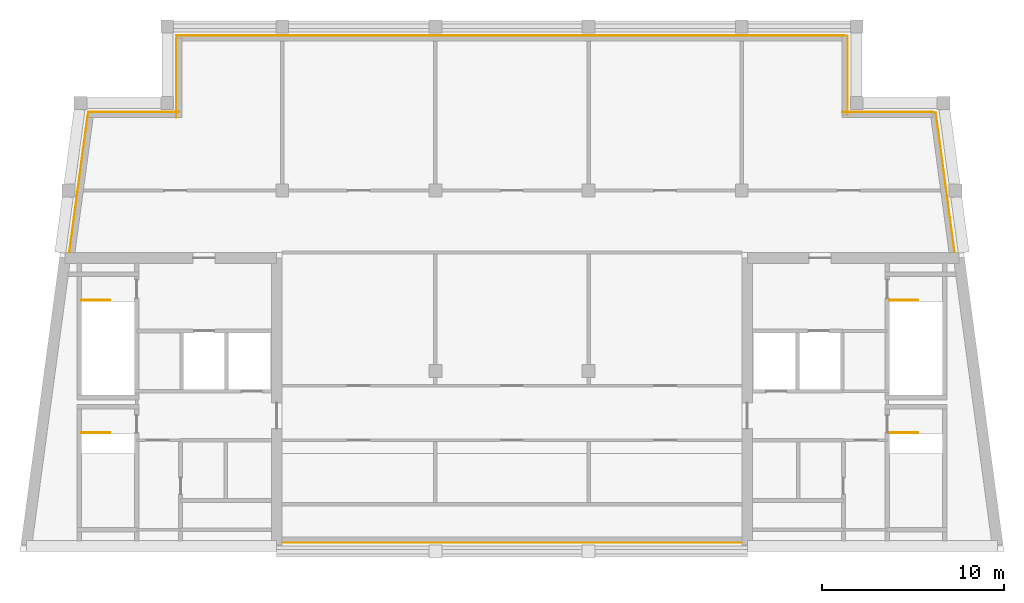
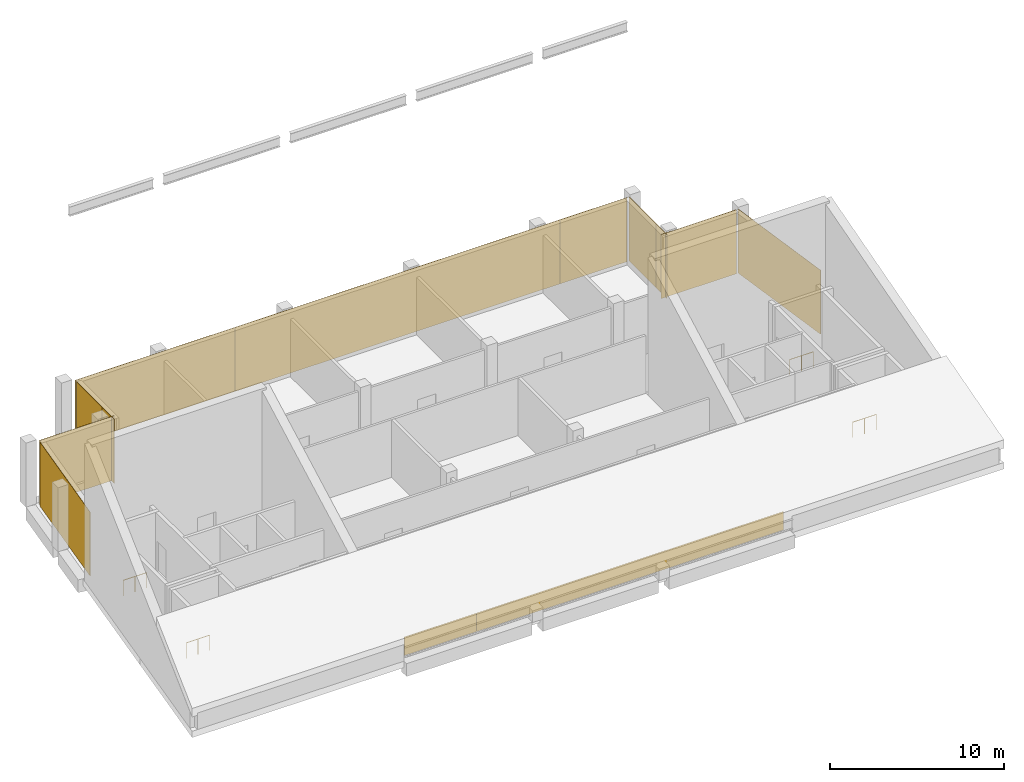
# One storey, part 4 of 4: 13 coverings, 4 railings.
"""IFC4 building model written with IfcOpenShell, lengths in metres."""

from ifc_helpers import new_model, si_unit, direction, frame, origin, origin_2d, place, context, subcontext, project, spatial, rectangle, circle, extrude, material, layer, layer_set, type_object, element, save


model = new_model("IFC4")

# Units and contexts
model_context = context("Model", 3, precision=1e-05, world=origin(), true_north=direction((0.0, 1.0)))
body_context = subcontext(model_context, "Body", "Model", "MODEL_VIEW")
ifc_project = project(units=[si_unit("LENGTHUNIT", "METRE"), si_unit("AREAUNIT", "SQUARE_METRE"), si_unit("VOLUMEUNIT", "CUBIC_METRE"), si_unit("PLANEANGLEUNIT", "RADIAN"), si_unit("MASSUNIT", "GRAM", prefix="KILO")], contexts=[model_context])

# Site, building, storey
site_placement = place(None, origin())
site = spatial("IfcSite", under=ifc_project, at=site_placement, CompositionType="ELEMENT")
building_placement = place(site_placement, origin())
building = spatial("IfcBuilding", under=site, at=building_placement, Name="Candeia Pilgrim Tower and Theatre", CompositionType="ELEMENT")
storey_placement = place(building_placement, frame((0.0, 0.0, 319.89990234375)))
storey = spatial("IfcBuildingStorey", under=building, at=storey_placement, Name="L77", CompositionType="ELEMENT", Elevation=319.89990234375)

# Coverings
ifc_material_1 = material(Name="Glazed ceramic tile bottle green")
ifc_layer_1 = layer(ifc_material_1, 0.02001953125)
ifc_layer_set_1 = layer_set([ifc_layer_1], Name="Glazed ceramic tile bottle green")
covering_type_1 = type_object("IfcCoveringType", Name="Glazed ceramic tile bottle green", PredefinedType="CLADDING", material=ifc_layer_set_1)
covering_1_placement = place(storey_placement, frame((103.199951171875, 116.489990234375, 0.0), z_axis=(0.0, 0.0, 1.0), x_axis=(1.0, 0.0, 0.0)))
element("IfcCovering", 1, at=covering_1_placement, inside=storey, type_object=covering_type_1, Name="Tile cladding bottle green L77", PredefinedType="CLADDING", context=body_context, shape_type="SweptSolid", body=[
    extrude(rectangle(XDim=4.800048828125, YDim=0.02001953125, at=origin_2d()), origin(), (0.0, 0.0, 1.0), 1.2998046875),
])
covering_2_placement = place(storey_placement, frame((133.99853515625, 140.110107421875, 0.0), z_axis=(0.0, 0.0, 1.0), x_axis=(-1.0, 0.0, 0.0)))
element("IfcCovering", 2, at=covering_2_placement, inside=storey, type_object=covering_type_1, Name="Tile cladding bottle green L77", PredefinedType="CLADDING", context=body_context, shape_type="SweptSolid", body=[
    extrude(rectangle(XDim=4.9970703125, YDim=0.02001953125, at=origin_2d()), origin(), (0.0, 0.0, 1.0), 4.5),
])
covering_3_placement = place(storey_placement, frame((131.81005859375, 142.75, 0.0), z_axis=(0.0, 0.0, 1.0), x_axis=(0.0, 1.0, 0.0)))
element("IfcCovering", 3, at=covering_3_placement, inside=storey, type_object=covering_type_1, Name="Tile cladding bottle green L77", PredefinedType="CLADDING", context=body_context, shape_type="SweptSolid", body=[
    extrude(rectangle(XDim=3.10009765625, YDim=0.02001953125, at=origin_2d()), origin(), (0.0, 0.0, 1.0), 4.5),
])
covering_4_placement = place(storey_placement, frame((129.425048828125, 144.31005859375, 0.0), z_axis=(0.0, 0.0, 1.0), x_axis=(-1.0, 0.0, 0.0)))
element("IfcCovering", 4, at=covering_4_placement, inside=storey, type_object=covering_type_1, Name="Tile cladding bottle green L77", PredefinedType="CLADDING", context=body_context, shape_type="SweptSolid", body=[
    extrude(rectangle(XDim=4.449951171875, YDim=0.02001953125, at=origin_2d()), origin(), (0.0, 0.0, 1.0), 4.5),
])
covering_5_placement = place(storey_placement, frame((100.300048828125, 144.31005859375, 0.0), z_axis=(0.0, 0.0, 1.0), x_axis=(-1.0, 0.0, 0.0)))
element("IfcCovering", 5, at=covering_5_placement, inside=storey, type_object=covering_type_1, Name="Tile cladding bottle green L77", PredefinedType="CLADDING", context=body_context, shape_type="SweptSolid", body=[
    extrude(rectangle(XDim=10.60009765625, YDim=0.02001953125, at=origin_2d()), origin(), (0.0, 0.0, 1.0), 4.5),
])
covering_6_placement = place(storey_placement, frame((94.989990234375, 142.675048828125, 0.0), z_axis=(0.0, 0.0, 1.0), x_axis=(0.0, -1.0, 0.0)))
element("IfcCovering", 6, at=covering_6_placement, inside=storey, type_object=covering_type_1, Name="Tile cladding bottle green L77", PredefinedType="CLADDING", context=body_context, shape_type="SweptSolid", body=[
    extrude(rectangle(XDim=2.949951171875, YDim=0.02001953125, at=origin_2d()), origin(), (0.0, 0.0, 1.0), 4.5),
])
covering_7_placement = place(storey_placement, frame((92.660888671875, 140.110107421875, 0.0), z_axis=(0.0, 0.0, 1.0), x_axis=(-1.0, 0.0, 0.0)))
element("IfcCovering", 7, at=covering_7_placement, inside=storey, type_object=covering_type_1, Name="Tile cladding bottle green L77", PredefinedType="CLADDING", context=body_context, shape_type="SweptSolid", body=[
    extrude(rectangle(XDim=4.978271484375, YDim=0.02001953125, at=origin_2d()), origin(), (0.0, 0.0, 1.0), 4.5),
])
ifc_material_2 = material(Name="Glazed ceramic tile rust")
ifc_layer_2 = layer(ifc_material_2, 0.02001953125)
ifc_layer_set_2 = layer_set([ifc_layer_2], Name="Glazed ceramic tile rust")
covering_type_2 = type_object("IfcCoveringType", Name="Glazed ceramic tile rust", PredefinedType="CLADDING", material=ifc_layer_set_2)
covering_8_placement = place(storey_placement, frame((89.63623046875, 136.1962890625, 0.0), z_axis=(0.0, 0.0, 1.0), x_axis=(-0.133412012145, -0.991060661622, 0.0)))
element("IfcCovering", 8, at=covering_8_placement, inside=storey, type_object=covering_type_2, Name="Tile cladding rust L77", PredefinedType="CLADDING", context=body_context, shape_type="SweptSolid", body=[
    extrude(rectangle(XDim=7.6181640625, YDim=0.02001953125, at=origin_2d()), origin(), (0.0, 0.0, 1.0), 4.5),
])
covering_9_placement = place(storey_placement, frame((115.800048828125, 116.489990234375, 0.0), z_axis=(0.0, 0.0, 1.0), x_axis=(1.0, 0.0, 0.0)))
element("IfcCovering", 9, at=covering_9_placement, inside=storey, type_object=covering_type_2, Name="Tile cladding rust L77", PredefinedType="CLADDING", context=body_context, shape_type="SweptSolid", body=[
    extrude(rectangle(XDim=20.39990234375, YDim=0.02001953125, at=origin_2d()), origin(), (0.0, 0.0, 1.0), 1.2998046875),
])
covering_10_placement = place(storey_placement, frame((137.155029296875, 136.26123046875, 0.0), z_axis=(0.0, 0.0, 1.0), x_axis=(-0.133412012145, 0.991060661622, 0.0)))
element("IfcCovering", 10, at=covering_10_placement, inside=storey, type_object=covering_type_2, Name="Tile cladding rust L77", PredefinedType="CLADDING", context=body_context, shape_type="SweptSolid", body=[
    extrude(rectangle(XDim=7.749267578125, YDim=0.02001953125, at=origin_2d()), origin(), (0.0, 0.0, 1.0), 4.5),
])
covering_11_placement = place(storey_placement, frame((131.81005859375, 140.574951171875, 0.0), z_axis=(0.0, 0.0, 1.0), x_axis=(0.0, 1.0, 0.0)))
element("IfcCovering", 11, at=covering_11_placement, inside=storey, type_object=covering_type_2, Name="Tile cladding rust L77", PredefinedType="CLADDING", context=body_context, shape_type="SweptSolid", body=[
    extrude(rectangle(XDim=1.25, YDim=0.02001953125, at=origin_2d()), origin(), (0.0, 0.0, 1.0), 4.5),
])
covering_12_placement = place(storey_placement, frame((116.39990234375, 144.31005859375, 0.0), z_axis=(0.0, 0.0, 1.0), x_axis=(-1.0, 0.0, 0.0)))
element("IfcCovering", 12, at=covering_12_placement, inside=storey, type_object=covering_type_2, Name="Tile cladding rust L77", PredefinedType="CLADDING", context=body_context, shape_type="SweptSolid", body=[
    extrude(rectangle(XDim=21.60009765625, YDim=0.02001953125, at=origin_2d()), origin(), (0.0, 0.0, 1.0), 4.5),
])
covering_13_placement = place(storey_placement, frame((94.989990234375, 140.5, 0.0), z_axis=(0.0, 0.0, 1.0), x_axis=(0.0, -1.0, 0.0)))
element("IfcCovering", 13, at=covering_13_placement, inside=storey, type_object=covering_type_2, Name="Tile cladding rust L77", PredefinedType="CLADDING", context=body_context, shape_type="SweptSolid", body=[
    extrude(rectangle(XDim=1.39990234375, YDim=0.02001953125, at=origin_2d()), origin(), (0.0, 0.0, 1.0), 4.5),
])

# Railings
ifc_material_3 = material(Name="Stainless steel balustrade", Category="steel")
railing_type = type_object("IfcRailingType", Name="RL-GUARD-1100", PredefinedType="GUARDRAIL", material=ifc_material_3)
for number, where, name in (
    (14, (89.802001953125, 122.52490234375, 0.0), "L77 ST1 top well guard 1"),
    (15, (89.802001953125, 129.77490234375, 0.0), "L77 ST2 top well guard 1"),
    (16, (134.097900390625, 122.52490234375, 0.0), "L77 ST3 top well guard 1"),
    (17, (134.097900390625, 129.77490234375, 0.0), "L77 ST4 top well guard 1"),
):
    element("IfcRailing", number, at=place(storey_placement, frame(where)), inside=storey, type_object=railing_type, Name=name, PredefinedType="GUARDRAIL", context=body_context, shape_type="SweptSolid", body=[
        extrude(circle(Radius=0.02392578125, at=origin_2d()), frame((0.0, 0.0, 1.076171875), z_axis=(1.0, 0.0, 0.0), x_axis=(0.0, 1.0, 0.0)), (0.0, 0.0, 1.0), 1.550048828125),
        extrude(circle(Radius=0.02099609375, at=origin_2d()), origin(), (0.0, 0.0, 1.0), 1.052001953125),
        extrude(circle(Radius=0.02099609375, at=origin_2d()), frame((0.77490234375, 0.0, 0.0)), (0.0, 0.0, 1.0), 1.052001953125),
        extrude(circle(Radius=0.02099609375, at=origin_2d()), frame((1.550048828125, 0.0, 0.0)), (0.0, 0.0, 1.0), 1.052001953125),
    ])

save(model, "model.ifc")
